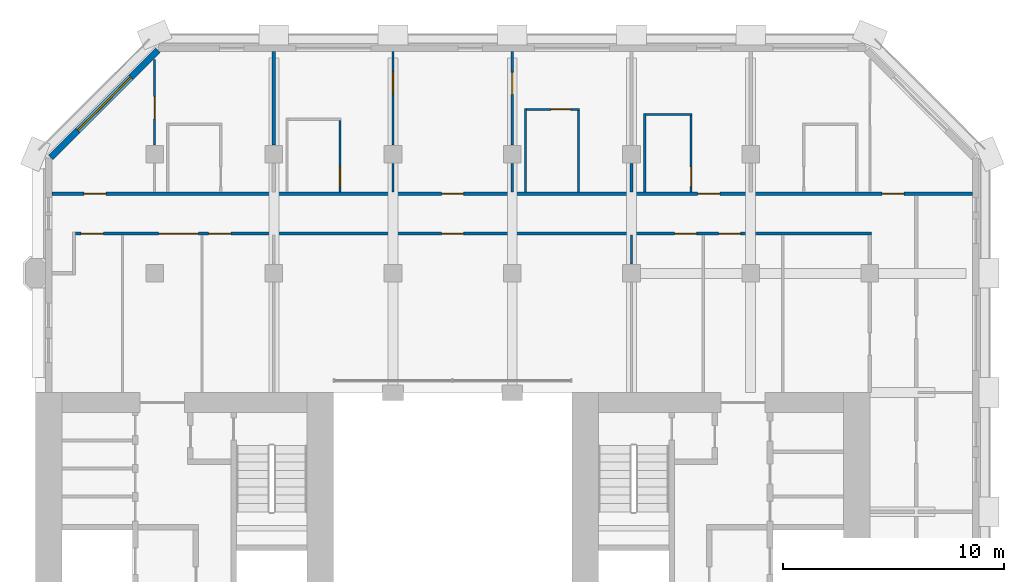
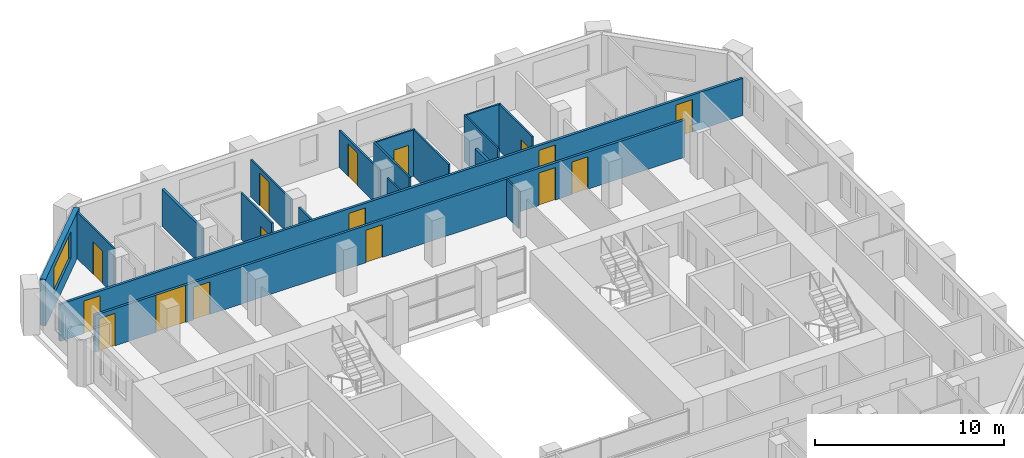
# One storey, part 8 of 12: 18 walls, 16 doors, 1 window, 17 openings.
"""IFC4 building model written with IfcOpenShell, lengths in metres."""

from ifc_helpers import new_model, si_unit, direction, frame, frame_2d, origin, place, context, subcontext, project, spatial, rectangle, extrude, material, layer, layer_set, type_object, element, fill, save


model = new_model("IFC4")

# Units and contexts
model_context = context("Model", 3, precision=1e-05, world=origin(), true_north=direction((0.0, 1.0)))
body_context = subcontext(model_context, "Body", "Model", "MODEL_VIEW")
ifc_project = project(units=[si_unit("LENGTHUNIT", "METRE"), si_unit("AREAUNIT", "SQUARE_METRE"), si_unit("VOLUMEUNIT", "CUBIC_METRE"), si_unit("PLANEANGLEUNIT", "RADIAN"), si_unit("MASSUNIT", "GRAM", prefix="KILO")], contexts=[model_context])

# Site, building, storey
site_placement = place(None, origin())
site = spatial("IfcSite", under=ifc_project, at=site_placement, CompositionType="ELEMENT")
building_placement = place(site_placement, origin())
building = spatial("IfcBuilding", under=site, at=building_placement, Name="Tabaq Tower and Sports Hall", CompositionType="ELEMENT")
storey_placement = place(building_placement, frame((0.0, 0.0, 193.89990234375)))
storey = spatial("IfcBuildingStorey", under=building, at=storey_placement, Name="L47", CompositionType="ELEMENT", Elevation=193.89990234375)

# Wall, opening, door
ifc_material_1 = material(Name="Gypsum board on steel studs", Category="steel")
ifc_layer_1 = layer(ifc_material_1, 0.10009765625)
ifc_layer_set_1 = layer_set([ifc_layer_1], Name="Partition 100 Gypsum board")
wall_type_1 = type_object("IfcWallType", Name="Partition 100 Gypsum board", PredefinedType="PARTITIONING", material=ifc_layer_set_1)
wall_1_placement = place(storey_placement, frame((10.800048828125, 47.48779296875, 0.0), z_axis=(0.0, 0.0, 1.0), x_axis=(0.0, -1.0, 0.0)))
wall_1 = element("IfcWall", 1, at=wall_1_placement, inside=storey, type_object=wall_type_1, Name="Partition wall L47", PredefinedType="PARTITIONING", context=body_context, shape_type="SweptSolid", body=[
    extrude(rectangle(XDim=3.86767578125, YDim=0.10009765625, at=frame_2d((1.933837890625, 0.0))), origin(), (0.0, 0.0, 1.0), 3.0),
])
opening_1_placement = place(wall_1_placement, frame((1.68798828125, 0.0, 0.0)))
opening_1 = element("IfcOpeningElement", 2, at=opening_1_placement, cuts=wall_1, Name="Opening L47-025", PredefinedType="OPENING", context=body_context, shape_type="SweptSolid", body=[
    extrude(rectangle(XDim=1.0, YDim=2.10009765625, at=frame_2d((0.5, 1.050048828125))), frame((0.0, 0.050048828125, 0.0), z_axis=(0.0, -1.0, 0.0), x_axis=(1.0, 0.0, 0.0)), (0.0, 0.0, 1.0), 0.10009765625),
])
ifc_material_2 = material(Name="Timber leaf in steel frame", Category="steel")
door_type_1 = type_object("IfcDoorType", Name="Internal door 1000 right hand", OperationType="SINGLE_SWING_RIGHT", PredefinedType="DOOR", material=ifc_material_2)
door_1_placement = place(opening_1_placement, origin())
door_1 = element("IfcDoor", 3, at=door_1_placement, inside=storey, type_object=door_type_1, Name="Internal door L47-025", OperationType="SINGLE_SWING_RIGHT", OverallHeight=2.10009765625, OverallWidth=1.0, PredefinedType="DOOR", context=body_context, shape_type="SweptSolid", body=[
    extrude(rectangle(XDim=1.0, YDim=2.10009765625, at=frame_2d((0.5, 1.050048828125))), frame((0.0, 0.02490234375, 0.0), z_axis=(0.0, -1.0, 0.0), x_axis=(1.0, 0.0, 0.0)), (0.0, 0.0, 1.0), 0.050048828125),
])
fill(opening_1, door_1)

wall_2_placement = place(storey_placement, frame((19.199951171875, 44.72509765625, 0.0), z_axis=(0.0, 0.0, 1.0), x_axis=(0.0, -1.0, 0.0)))
wall_2 = element("IfcWall", 4, at=wall_2_placement, inside=storey, type_object=wall_type_1, Name="Partition wall L47", PredefinedType="PARTITIONING", context=body_context, shape_type="SweptSolid", body=[
    extrude(rectangle(XDim=3.25, YDim=0.10009765625, at=frame_2d((1.625, 0.0))), origin(), (0.0, 0.0, 1.0), 3.0),
])
opening_2_placement = place(wall_2_placement, frame((2.10009765625, 0.0, 0.0)))
opening_2 = element("IfcOpeningElement", 5, at=opening_2_placement, cuts=wall_2, Name="Opening L47-003", PredefinedType="OPENING", context=body_context, shape_type="SweptSolid", body=[
    extrude(rectangle(XDim=0.89990234375, YDim=2.10009765625, at=frame_2d((0.449951171875, 1.050048828125))), frame((0.0, 0.050048828125, 0.0), z_axis=(0.0, -1.0, 0.0), x_axis=(1.0, 0.0, 0.0)), (0.0, 0.0, 1.0), 0.10009765625),
])
ifc_material_3 = material(Name="Timber leaf in steel frame", Category="steel")
door_type_2 = type_object("IfcDoorType", Name="Internal door 900 right hand", OperationType="SINGLE_SWING_RIGHT", PredefinedType="DOOR", material=ifc_material_3)
door_2_placement = place(opening_2_placement, origin())
door_2 = element("IfcDoor", 6, at=door_2_placement, inside=storey, type_object=door_type_2, Name="Internal door L47-003", OperationType="SINGLE_SWING_RIGHT", OverallHeight=2.10009765625, OverallWidth=0.89990234375, PredefinedType="DOOR", context=body_context, shape_type="SweptSolid", body=[
    extrude(rectangle(XDim=0.89990234375, YDim=2.10009765625, at=frame_2d((0.449951171875, 1.050048828125))), frame((0.0, 0.02490234375, 0.0), z_axis=(0.0, -1.0, 0.0), x_axis=(1.0, 0.0, 0.0)), (0.0, 0.0, 1.0), 0.050048828125),
])
fill(opening_2, door_2)

# Wall
wall_3_placement = place(storey_placement, frame((21.60009765625, 41.47509765625, 0.0), z_axis=(0.0, 0.0, 1.0), x_axis=(0.0, 1.0, 0.0)))
element("IfcWall", 7, at=wall_3_placement, inside=storey, type_object=wall_type_1, Name="Partition wall L47", PredefinedType="PARTITIONING", context=body_context, shape_type="SweptSolid", body=[
    extrude(rectangle(XDim=1.304931640625, YDim=0.10009765625, at=frame_2d((0.65234375, 0.0))), origin(), (0.0, 0.0, 1.0), 2.400146484375),
])

# Wall, opening, door
wall_4_placement = place(storey_placement, frame((21.60009765625, 43.6201171875, 0.0), z_axis=(0.0, 0.0, 1.0), x_axis=(0.0, 1.0, 0.0)))
wall_4 = element("IfcWall", 8, at=wall_4_placement, inside=storey, type_object=wall_type_1, Name="Partition wall L47", PredefinedType="PARTITIONING", context=body_context, shape_type="SweptSolid", body=[
    extrude(rectangle(XDim=4.22900390625, YDim=0.10009765625, at=frame_2d((2.114501953125, 0.0))), origin(), (0.0, 0.0, 1.0), 2.400146484375),
])
opening_3_placement = place(wall_4_placement, frame((2.280029296875, 0.0, 0.0)))
opening_3 = element("IfcOpeningElement", 9, at=opening_3_placement, cuts=wall_4, Name="Opening L47-027", PredefinedType="OPENING", context=body_context, shape_type="SweptSolid", body=[
    extrude(rectangle(XDim=1.0, YDim=2.10009765625, at=frame_2d((0.5, 1.050048828125))), frame((0.0, 0.050048828125, 0.0), z_axis=(0.0, -1.0, 0.0), x_axis=(1.0, 0.0, 0.0)), (0.0, 0.0, 1.0), 0.10009765625),
])
door_3_placement = place(opening_3_placement, origin())
door_3 = element("IfcDoor", 10, at=door_3_placement, inside=storey, type_object=door_type_1, Name="Internal door L47-027", OperationType="SINGLE_SWING_RIGHT", OverallHeight=2.10009765625, OverallWidth=1.0, PredefinedType="DOOR", context=body_context, shape_type="SweptSolid", body=[
    extrude(rectangle(XDim=1.0, YDim=2.10009765625, at=frame_2d((0.5, 1.050048828125))), frame((0.0, 0.02490234375, 0.0), z_axis=(0.0, -1.0, 0.0), x_axis=(1.0, 0.0, 0.0)), (0.0, 0.0, 1.0), 0.050048828125),
])
fill(opening_3, door_3)

wall_5_placement = place(storey_placement, frame((27.0, 47.84912109375, 0.0), z_axis=(0.0, 0.0, 1.0), x_axis=(0.0, -1.0, 0.0)))
wall_5 = element("IfcWall", 11, at=wall_5_placement, inside=storey, type_object=wall_type_1, Name="Partition wall L47", PredefinedType="PARTITIONING", context=body_context, shape_type="SweptSolid", body=[
    extrude(rectangle(XDim=4.22900390625, YDim=0.10009765625, at=frame_2d((2.114501953125, 0.0))), origin(), (0.0, 0.0, 1.0), 2.400146484375),
])
opening_4_placement = place(wall_5_placement, frame((0.948974609375, 0.0, 0.0)))
opening_4 = element("IfcOpeningElement", 12, at=opening_4_placement, cuts=wall_5, Name="Opening L47-028", PredefinedType="OPENING", context=body_context, shape_type="SweptSolid", body=[
    extrude(rectangle(XDim=1.0, YDim=2.10009765625, at=frame_2d((0.5, 1.050048828125))), frame((0.0, 0.050048828125, 0.0), z_axis=(0.0, -1.0, 0.0), x_axis=(1.0, 0.0, 0.0)), (0.0, 0.0, 1.0), 0.10009765625),
])
door_4_placement = place(opening_4_placement, origin())
door_4 = element("IfcDoor", 13, at=door_4_placement, inside=storey, type_object=door_type_1, Name="Internal door L47-028", OperationType="SINGLE_SWING_RIGHT", OverallHeight=2.10009765625, OverallWidth=1.0, PredefinedType="DOOR", context=body_context, shape_type="SweptSolid", body=[
    extrude(rectangle(XDim=1.0, YDim=2.10009765625, at=frame_2d((0.5, 1.050048828125))), frame((0.0, 0.02490234375, 0.0), z_axis=(0.0, -1.0, 0.0), x_axis=(1.0, 0.0, 0.0)), (0.0, 0.0, 1.0), 0.050048828125),
])
fill(opening_4, door_4)

# Walls
wall_6_placement = place(storey_placement, frame((27.0, 42.780029296875, 0.0), z_axis=(0.0, 0.0, 1.0), x_axis=(0.0, -1.0, 0.0)))
element("IfcWall", 14, at=wall_6_placement, inside=storey, type_object=wall_type_1, Name="Partition wall L47", PredefinedType="PARTITIONING", context=body_context, shape_type="SweptSolid", body=[
    extrude(rectangle(XDim=1.304931640625, YDim=0.10009765625, at=frame_2d((0.65234375, 0.0))), origin(), (0.0, 0.0, 1.0), 2.400146484375),
])
wall_7_placement = place(storey_placement, frame((27.60009765625, 41.47509765625, 0.0), z_axis=(0.0, 0.0, 1.0), x_axis=(0.0, 1.0, 0.0)))
element("IfcWall", 15, at=wall_7_placement, inside=storey, type_object=wall_type_1, Name="Partition wall L47", PredefinedType="PARTITIONING", context=body_context, shape_type="SweptSolid", body=[
    extrude(rectangle(XDim=3.7998046875, YDim=0.10009765625, at=frame_2d((1.89990234375, 0.0))), origin(), (0.0, 0.0, 1.0), 3.0),
])

# Wall, opening, door
wall_8_placement = place(storey_placement, frame((27.64990234375, 45.22509765625, 0.0), z_axis=(0.0, 0.0, 1.0), x_axis=(1.0, 0.0, 0.0)))
wall_8 = element("IfcWall", 16, at=wall_8_placement, inside=storey, type_object=wall_type_1, Name="Partition wall L47", PredefinedType="PARTITIONING", context=body_context, shape_type="SweptSolid", body=[
    extrude(rectangle(XDim=2.400146484375, YDim=0.10009765625, at=frame_2d((1.2001953125, 0.0))), origin(), (0.0, 0.0, 1.0), 3.0),
])
opening_5_placement = place(wall_8_placement, frame((1.10009765625, 0.0, 0.0)))
opening_5 = element("IfcOpeningElement", 17, at=opening_5_placement, cuts=wall_8, Name="Opening L47-004", PredefinedType="OPENING", context=body_context, shape_type="SweptSolid", body=[
    extrude(rectangle(XDim=0.89990234375, YDim=2.10009765625, at=frame_2d((0.449951171875, 1.050048828125))), frame((0.0, 0.050048828125, 0.0), z_axis=(0.0, -1.0, 0.0), x_axis=(1.0, 0.0, 0.0)), (0.0, 0.0, 1.0), 0.10009765625),
])
ifc_material_4 = material(Name="Timber leaf in steel frame", Category="steel")
door_type_3 = type_object("IfcDoorType", Name="Internal door 900 left hand", OperationType="SINGLE_SWING_LEFT", PredefinedType="DOOR", material=ifc_material_4)
door_5_placement = place(opening_5_placement, origin())
door_5 = element("IfcDoor", 18, at=door_5_placement, inside=storey, type_object=door_type_3, Name="Internal door L47-004", OperationType="SINGLE_SWING_LEFT", OverallHeight=2.10009765625, OverallWidth=0.89990234375, PredefinedType="DOOR", context=body_context, shape_type="SweptSolid", body=[
    extrude(rectangle(XDim=0.89990234375, YDim=2.10009765625, at=frame_2d((0.449951171875, 1.050048828125))), frame((0.0, 0.02490234375, 0.0), z_axis=(0.0, -1.0, 0.0), x_axis=(1.0, 0.0, 0.0)), (0.0, 0.0, 1.0), 0.050048828125),
])
fill(opening_5, door_5)

# Walls
wall_9_placement = place(storey_placement, frame((30.0, 45.175048828125, 0.0), z_axis=(0.0, 0.0, 1.0), x_axis=(0.0, -1.0, 0.0)))
element("IfcWall", 19, at=wall_9_placement, inside=storey, type_object=wall_type_1, Name="Partition wall L47", PredefinedType="PARTITIONING", context=body_context, shape_type="SweptSolid", body=[
    extrude(rectangle(XDim=3.699951171875, YDim=0.10009765625, at=frame_2d((1.85009765625, 0.0))), origin(), (0.0, 0.0, 1.0), 3.0),
])
wall_10_placement = place(storey_placement, frame((33.0, 41.47509765625, 0.0), z_axis=(0.0, 0.0, 1.0), x_axis=(0.0, 1.0, 0.0)))
element("IfcWall", 20, at=wall_10_placement, inside=storey, type_object=wall_type_1, Name="Partition wall L47", PredefinedType="PARTITIONING", context=body_context, shape_type="SweptSolid", body=[
    extrude(rectangle(XDim=3.574951171875, YDim=0.10009765625, at=frame_2d((1.78759765625, 0.0))), origin(), (0.0, 0.0, 1.0), 3.0),
])
wall_11_placement = place(storey_placement, frame((33.050048828125, 45.0, 0.0), z_axis=(0.0, 0.0, 1.0), x_axis=(1.0, 0.0, 0.0)))
element("IfcWall", 21, at=wall_11_placement, inside=storey, type_object=wall_type_1, Name="Partition wall L47", PredefinedType="PARTITIONING", context=body_context, shape_type="SweptSolid", body=[
    extrude(rectangle(XDim=2.099853515625, YDim=0.10009765625, at=frame_2d((1.0498046875, 0.0))), origin(), (0.0, 0.0, 1.0), 3.0),
])

# Wall, opening, door
wall_12_placement = place(storey_placement, frame((35.10009765625, 44.949951171875, 0.0), z_axis=(0.0, 0.0, 1.0), x_axis=(0.0, -1.0, 0.0)))
wall_12 = element("IfcWall", 22, at=wall_12_placement, inside=storey, type_object=wall_type_1, Name="Partition wall L47", PredefinedType="PARTITIONING", context=body_context, shape_type="SweptSolid", body=[
    extrude(rectangle(XDim=3.474853515625, YDim=0.10009765625, at=frame_2d((1.7373046875, 0.0))), origin(), (0.0, 0.0, 1.0), 3.0),
])
opening_6_placement = place(wall_12_placement, frame((2.324951171875, 0.0, 0.0)))
opening_6 = element("IfcOpeningElement", 23, at=opening_6_placement, cuts=wall_12, Name="Opening L47-005", PredefinedType="OPENING", context=body_context, shape_type="SweptSolid", body=[
    extrude(rectangle(XDim=0.89990234375, YDim=2.10009765625, at=frame_2d((0.449951171875, 1.050048828125))), frame((0.0, 0.050048828125, 0.0), z_axis=(0.0, -1.0, 0.0), x_axis=(1.0, 0.0, 0.0)), (0.0, 0.0, 1.0), 0.10009765625),
])
door_6_placement = place(opening_6_placement, origin())
door_6 = element("IfcDoor", 24, at=door_6_placement, inside=storey, type_object=door_type_3, Name="Internal door L47-005", OperationType="SINGLE_SWING_LEFT", OverallHeight=2.10009765625, OverallWidth=0.89990234375, PredefinedType="DOOR", context=body_context, shape_type="SweptSolid", body=[
    extrude(rectangle(XDim=0.89990234375, YDim=2.10009765625, at=frame_2d((0.449951171875, 1.050048828125))), frame((0.0, 0.02490234375, 0.0), z_axis=(0.0, -1.0, 0.0), x_axis=(1.0, 0.0, 0.0)), (0.0, 0.0, 1.0), 0.050048828125),
])
fill(opening_6, door_6)

# Walls
wall_13_placement = place(storey_placement, frame((32.39990234375, 38.219970703125, 0.0), z_axis=(0.0, 0.0, 1.0), x_axis=(0.0, 1.0, 0.0)))
element("IfcWall", 25, at=wall_13_placement, inside=storey, type_object=wall_type_1, Name="Partition wall L47", PredefinedType="PARTITIONING", context=body_context, shape_type="SweptSolid", body=[
    extrude(rectangle(XDim=1.304931640625, YDim=0.10009765625, at=frame_2d((0.65234375, 0.0))), origin(), (0.0, 0.0, 1.0), 2.400146484375),
])
ifc_material_5 = material(Name="Blockwork", Category="masonry")
ifc_layer_2 = layer(ifc_material_5, 0.14990234375)
ifc_layer_set_2 = layer_set([ifc_layer_2], Name="Separating wall 150 Blockwork")
wall_type_2 = type_object("IfcWallType", Name="Separating wall 150 Blockwork", PredefinedType="PARTITIONING", material=ifc_layer_set_2)
wall_14_placement = place(storey_placement, frame((16.199951171875, 43.6201171875, 0.0), z_axis=(0.0, 0.0, 1.0), x_axis=(0.0, 1.0, 0.0)))
element("IfcWall", 26, at=wall_14_placement, inside=storey, type_object=wall_type_2, Name="Separating wall L47", PredefinedType="PARTITIONING", context=body_context, shape_type="SweptSolid", body=[
    extrude(rectangle(XDim=4.22900390625, YDim=0.14990234375, at=frame_2d((2.114501953125, 0.0))), origin(), (0.0, 0.0, 1.0), 2.400146484375),
])
wall_15_placement = place(storey_placement, frame((32.39990234375, 41.47509765625, 0.0), z_axis=(0.0, 0.0, 1.0), x_axis=(0.0, 1.0, 0.0)))
element("IfcWall", 27, at=wall_15_placement, inside=storey, type_object=wall_type_2, Name="Separating wall L47", PredefinedType="PARTITIONING", context=body_context, shape_type="SweptSolid", body=[
    extrude(rectangle(XDim=1.304931640625, YDim=0.14990234375, at=frame_2d((0.65234375, 0.0))), origin(), (0.0, 0.0, 1.0), 2.400146484375),
])

# Wall, openings, doors
wall_16_placement = place(storey_placement, frame((47.84912109375, 41.39990234375, 0.0), z_axis=(0.0, 0.0, 1.0), x_axis=(-1.0, 0.0, 0.0)))
wall_16 = element("IfcWall", 28, at=wall_16_placement, inside=storey, type_object=wall_type_2, Name="Separating wall L47", PredefinedType="PARTITIONING", context=body_context, shape_type="SweptSolid", body=[
    extrude(rectangle(XDim=41.6982421875, YDim=0.14990234375, at=frame_2d((20.84912109375, 0.0))), origin(), (0.0, 0.0, 1.0), 2.400146484375),
])
opening_7_placement = place(wall_16_placement, frame((39.2490234375, 0.0, 0.0)))
opening_7 = element("IfcOpeningElement", 29, at=opening_7_placement, cuts=wall_16, Name="Opening L47-026", PredefinedType="OPENING", context=body_context, shape_type="SweptSolid", body=[
    extrude(rectangle(XDim=1.0, YDim=2.10009765625, at=frame_2d((0.5, 1.050048828125))), frame((0.0, 0.074951171875, 0.0), z_axis=(0.0, -1.0, 0.0), x_axis=(1.0, 0.0, 0.0)), (0.0, 0.0, 1.0), 0.14990234375),
])
opening_8_placement = place(wall_16_placement, frame((11.448974609375, 0.0, 0.0)))
opening_8 = element("IfcOpeningElement", 30, at=opening_8_placement, cuts=wall_16, Name="Opening L47-029", PredefinedType="OPENING", context=body_context, shape_type="SweptSolid", body=[
    extrude(rectangle(XDim=1.0, YDim=2.10009765625, at=frame_2d((0.5, 1.050048828125))), frame((0.0, 0.074951171875, 0.0), z_axis=(0.0, -1.0, 0.0), x_axis=(1.0, 0.0, 0.0)), (0.0, 0.0, 1.0), 0.14990234375),
])
opening_9_placement = place(wall_16_placement, frame((3.09912109375, 0.0, 0.0)))
opening_9 = element("IfcOpeningElement", 31, at=opening_9_placement, cuts=wall_16, Name="Opening L47-031", PredefinedType="OPENING", context=body_context, shape_type="SweptSolid", body=[
    extrude(rectangle(XDim=1.0, YDim=2.10009765625, at=frame_2d((0.5, 1.050048828125))), frame((0.0, 0.074951171875, 0.0), z_axis=(0.0, -1.0, 0.0), x_axis=(1.0, 0.0, 0.0)), (0.0, 0.0, 1.0), 0.14990234375),
])
opening_10_placement = place(wall_16_placement, frame((23.049072265625, 0.0, 0.0)))
opening_10 = element("IfcOpeningElement", 32, at=opening_10_placement, cuts=wall_16, Name="Opening L47-042", PredefinedType="OPENING", context=body_context, shape_type="SweptSolid", body=[
    extrude(rectangle(XDim=1.0, YDim=2.10009765625, at=frame_2d((0.5, 1.050048828125))), frame((0.0, 0.074951171875, 0.0), z_axis=(0.0, -1.0, 0.0), x_axis=(1.0, 0.0, 0.0)), (0.0, 0.0, 1.0), 0.14990234375),
])
ifc_material_6 = material(Name="Steel fire door", Category="steel")
door_type_4 = type_object("IfcDoorType", Name="Entrance door 1000 left hand", OperationType="SINGLE_SWING_LEFT", PredefinedType="DOOR", material=ifc_material_6)
door_7_placement = place(opening_7_placement, origin())
door_7 = element("IfcDoor", 33, at=door_7_placement, inside=storey, type_object=door_type_4, Name="Entrance door L47-026", OperationType="SINGLE_SWING_LEFT", OverallHeight=2.10009765625, OverallWidth=1.0, PredefinedType="DOOR", context=body_context, shape_type="SweptSolid", body=[
    extrude(rectangle(XDim=1.0, YDim=2.10009765625, at=frame_2d((0.5, 1.050048828125))), frame((0.0, 0.02490234375, 0.0), z_axis=(0.0, -1.0, 0.0), x_axis=(1.0, 0.0, 0.0)), (0.0, 0.0, 1.0), 0.050048828125),
])
fill(opening_7, door_7)
door_8_placement = place(opening_8_placement, origin())
door_8 = element("IfcDoor", 34, at=door_8_placement, inside=storey, type_object=door_type_4, Name="Entrance door L47-029", OperationType="SINGLE_SWING_LEFT", OverallHeight=2.10009765625, OverallWidth=1.0, PredefinedType="DOOR", context=body_context, shape_type="SweptSolid", body=[
    extrude(rectangle(XDim=1.0, YDim=2.10009765625, at=frame_2d((0.5, 1.050048828125))), frame((0.0, 0.02490234375, 0.0), z_axis=(0.0, -1.0, 0.0), x_axis=(1.0, 0.0, 0.0)), (0.0, 0.0, 1.0), 0.050048828125),
])
fill(opening_8, door_8)
door_9_placement = place(opening_9_placement, origin())
door_9 = element("IfcDoor", 35, at=door_9_placement, inside=storey, type_object=door_type_4, Name="Entrance door L47-031", OperationType="SINGLE_SWING_LEFT", OverallHeight=2.10009765625, OverallWidth=1.0, PredefinedType="DOOR", context=body_context, shape_type="SweptSolid", body=[
    extrude(rectangle(XDim=1.0, YDim=2.10009765625, at=frame_2d((0.5, 1.050048828125))), frame((0.0, 0.02490234375, 0.0), z_axis=(0.0, -1.0, 0.0), x_axis=(1.0, 0.0, 0.0)), (0.0, 0.0, 1.0), 0.050048828125),
])
fill(opening_9, door_9)
ifc_material_7 = material(Name="Steel fire door", Category="steel")
door_type_5 = type_object("IfcDoorType", Name="Entrance door 1000 right hand", OperationType="SINGLE_SWING_RIGHT", PredefinedType="DOOR", material=ifc_material_7)
door_10_placement = place(opening_10_placement, origin())
door_10 = element("IfcDoor", 36, at=door_10_placement, inside=storey, type_object=door_type_5, Name="Entrance door L47-042", OperationType="SINGLE_SWING_RIGHT", OverallHeight=2.10009765625, OverallWidth=1.0, PredefinedType="DOOR", context=body_context, shape_type="SweptSolid", body=[
    extrude(rectangle(XDim=1.0, YDim=2.10009765625, at=frame_2d((0.5, 1.050048828125))), frame((0.0, 0.02490234375, 0.0), z_axis=(0.0, -1.0, 0.0), x_axis=(1.0, 0.0, 0.0)), (0.0, 0.0, 1.0), 0.050048828125),
])
fill(opening_10, door_10)

wall_17_placement = place(storey_placement, frame((43.27490234375, 39.60009765625, 0.0), z_axis=(0.0, 0.0, 1.0), x_axis=(-1.0, 0.0, 0.0)))
wall_17 = element("IfcWall", 37, at=wall_17_placement, inside=storey, type_object=wall_type_2, Name="Separating wall L47", PredefinedType="PARTITIONING", context=body_context, shape_type="SweptSolid", body=[
    extrude(rectangle(XDim=36.048828125, YDim=0.14990234375, at=frame_2d((18.0244140625, 0.0))), origin(), (0.0, 0.0, 1.0), 2.400146484375),
])
opening_11_placement = place(wall_17_placement, frame((18.47509765625, 0.0, 0.0)))
opening_11 = element("IfcOpeningElement", 38, at=opening_11_placement, cuts=wall_17, Name="Opening L47-007", PredefinedType="OPENING", context=body_context, shape_type="SweptSolid", body=[
    extrude(rectangle(XDim=1.0, YDim=2.10009765625, at=frame_2d((0.5, 1.050048828125))), frame((0.0, 0.074951171875, 0.0), z_axis=(0.0, -1.0, 0.0), x_axis=(1.0, 0.0, 0.0)), (0.0, 0.0, 1.0), 0.14990234375),
])
opening_12_placement = place(wall_17_placement, frame((34.799072265625, 0.0, 0.0)))
opening_12 = element("IfcOpeningElement", 39, at=opening_12_placement, cuts=wall_17, Name="Opening L47-009", PredefinedType="OPENING", context=body_context, shape_type="SweptSolid", body=[
    extrude(rectangle(XDim=1.0, YDim=2.10009765625, at=frame_2d((0.5, 1.050048828125))), frame((0.0, 0.074951171875, 0.0), z_axis=(0.0, -1.0, 0.0), x_axis=(1.0, 0.0, 0.0)), (0.0, 0.0, 1.0), 0.14990234375),
])
opening_13_placement = place(wall_17_placement, frame((7.925048828125, 0.0, 0.0)))
opening_13 = element("IfcOpeningElement", 40, at=opening_13_placement, cuts=wall_17, Name="Opening L47-010", PredefinedType="OPENING", context=body_context, shape_type="SweptSolid", body=[
    extrude(rectangle(XDim=1.0, YDim=2.10009765625, at=frame_2d((0.5, 1.050048828125))), frame((0.0, 0.074951171875, 0.0), z_axis=(0.0, -1.0, 0.0), x_axis=(1.0, 0.0, 0.0)), (0.0, 0.0, 1.0), 0.14990234375),
])
opening_14_placement = place(wall_17_placement, frame((29.02490234375, 0.0, 0.0)))
opening_14 = element("IfcOpeningElement", 41, at=opening_14_placement, cuts=wall_17, Name="Opening L47-012", PredefinedType="OPENING", context=body_context, shape_type="SweptSolid", body=[
    extrude(rectangle(XDim=1.0, YDim=2.10009765625, at=frame_2d((0.5, 1.050048828125))), frame((0.0, 0.074951171875, 0.0), z_axis=(0.0, -1.0, 0.0), x_axis=(1.0, 0.0, 0.0)), (0.0, 0.0, 1.0), 0.14990234375),
])
opening_15_placement = place(wall_17_placement, frame((30.4951171875, 0.0, 0.0)))
opening_15 = element("IfcOpeningElement", 42, at=opening_15_placement, cuts=wall_17, Name="Opening L47-032", PredefinedType="OPENING", context=body_context, shape_type="SweptSolid", body=[
    extrude(rectangle(XDim=1.800048828125, YDim=2.39990234375, at=frame_2d((0.89990234375, 1.199951171875))), frame((0.0, 0.074951171875, 0.0), z_axis=(0.0, -1.0, 0.0), x_axis=(1.0, 0.0, 0.0)), (0.0, 0.0, 1.0), 0.14990234375),
])
opening_16_placement = place(wall_17_placement, frame((5.925048828125, 0.0, 0.0)))
opening_16 = element("IfcOpeningElement", 43, at=opening_16_placement, cuts=wall_17, Name="Opening L47-033", PredefinedType="OPENING", context=body_context, shape_type="SweptSolid", body=[
    extrude(rectangle(XDim=1.0, YDim=2.10009765625, at=frame_2d((0.5, 1.050048828125))), frame((0.0, 0.074951171875, 0.0), z_axis=(0.0, -1.0, 0.0), x_axis=(1.0, 0.0, 0.0)), (0.0, 0.0, 1.0), 0.14990234375),
])
ifc_material_8 = material(Name="Timber leaf in steel frame", Category="steel")
door_type_6 = type_object("IfcDoorType", Name="Internal door 1000 left hand", OperationType="SINGLE_SWING_LEFT", PredefinedType="DOOR", material=ifc_material_8)
door_11_placement = place(opening_11_placement, origin())
door_11 = element("IfcDoor", 44, at=door_11_placement, inside=storey, type_object=door_type_6, Name="Internal door L47-007", OperationType="SINGLE_SWING_LEFT", OverallHeight=2.10009765625, OverallWidth=1.0, PredefinedType="DOOR", context=body_context, shape_type="SweptSolid", body=[
    extrude(rectangle(XDim=1.0, YDim=2.10009765625, at=frame_2d((0.5, 1.050048828125))), frame((0.0, 0.02490234375, 0.0), z_axis=(0.0, -1.0, 0.0), x_axis=(1.0, 0.0, 0.0)), (0.0, 0.0, 1.0), 0.050048828125),
])
fill(opening_11, door_11)
door_12_placement = place(opening_13_placement, origin())
door_12 = element("IfcDoor", 45, at=door_12_placement, inside=storey, type_object=door_type_6, Name="Internal door L47-010", OperationType="SINGLE_SWING_LEFT", OverallHeight=2.10009765625, OverallWidth=1.0, PredefinedType="DOOR", context=body_context, shape_type="SweptSolid", body=[
    extrude(rectangle(XDim=1.0, YDim=2.10009765625, at=frame_2d((0.5, 1.050048828125))), frame((0.0, 0.02490234375, 0.0), z_axis=(0.0, -1.0, 0.0), x_axis=(1.0, 0.0, 0.0)), (0.0, 0.0, 1.0), 0.050048828125),
])
fill(opening_13, door_12)
door_13_placement = place(opening_14_placement, origin())
door_13 = element("IfcDoor", 46, at=door_13_placement, inside=storey, type_object=door_type_6, Name="Internal door L47-012", OperationType="SINGLE_SWING_LEFT", OverallHeight=2.10009765625, OverallWidth=1.0, PredefinedType="DOOR", context=body_context, shape_type="SweptSolid", body=[
    extrude(rectangle(XDim=1.0, YDim=2.10009765625, at=frame_2d((0.5, 1.050048828125))), frame((0.0, 0.02490234375, 0.0), z_axis=(0.0, -1.0, 0.0), x_axis=(1.0, 0.0, 0.0)), (0.0, 0.0, 1.0), 0.050048828125),
])
fill(opening_14, door_13)
door_14_placement = place(opening_12_placement, origin())
door_14 = element("IfcDoor", 47, at=door_14_placement, inside=storey, type_object=door_type_1, Name="Internal door L47-009", OperationType="SINGLE_SWING_RIGHT", OverallHeight=2.10009765625, OverallWidth=1.0, PredefinedType="DOOR", context=body_context, shape_type="SweptSolid", body=[
    extrude(rectangle(XDim=1.0, YDim=2.10009765625, at=frame_2d((0.5, 1.050048828125))), frame((0.0, 0.02490234375, 0.0), z_axis=(0.0, -1.0, 0.0), x_axis=(1.0, 0.0, 0.0)), (0.0, 0.0, 1.0), 0.050048828125),
])
fill(opening_12, door_14)
door_15_placement = place(opening_16_placement, origin())
door_15 = element("IfcDoor", 48, at=door_15_placement, inside=storey, type_object=door_type_1, Name="Internal door L47-033", OperationType="SINGLE_SWING_RIGHT", OverallHeight=2.10009765625, OverallWidth=1.0, PredefinedType="DOOR", context=body_context, shape_type="SweptSolid", body=[
    extrude(rectangle(XDim=1.0, YDim=2.10009765625, at=frame_2d((0.5, 1.050048828125))), frame((0.0, 0.02490234375, 0.0), z_axis=(0.0, -1.0, 0.0), x_axis=(1.0, 0.0, 0.0)), (0.0, 0.0, 1.0), 0.050048828125),
])
fill(opening_16, door_15)
ifc_material_9 = material(Name="Timber leaf in steel frame", Category="steel")
door_type_7 = type_object("IfcDoorType", Name="Internal door 1800", OperationType="DOUBLE_DOOR_SINGLE_SWING", PredefinedType="DOOR", material=ifc_material_9)
door_16_placement = place(opening_15_placement, origin())
door_16 = element("IfcDoor", 49, at=door_16_placement, inside=storey, type_object=door_type_7, Name="Internal door L47-032", OperationType="DOUBLE_DOOR_SINGLE_SWING", OverallHeight=2.39990234375, OverallWidth=1.800048828125, PredefinedType="DOOR", context=body_context, shape_type="SweptSolid", body=[
    extrude(rectangle(XDim=1.800048828125, YDim=2.39990234375, at=frame_2d((0.89990234375, 1.199951171875))), frame((0.0, 0.02490234375, 0.0), z_axis=(0.0, -1.0, 0.0), x_axis=(1.0, 0.0, 0.0)), (0.0, 0.0, 1.0), 0.050048828125),
])
fill(opening_15, door_16)

# Wall, opening, window
ifc_material_10 = material(Name="White precast concrete C60/75", Category="concrete")
ifc_layer_3 = layer(ifc_material_10, 0.300048828125)
ifc_layer_set_3 = layer_set([ifc_layer_3], Name="White precast concrete C60/75 external wall 300")
wall_type_3 = type_object("IfcWallType", Name="White precast concrete C60/75 external wall 300", PredefinedType="SOLIDWALL", material=ifc_layer_set_3)
wall_18_placement = place(storey_placement, frame((10.949462890625, 47.901123046875, 0.0), z_axis=(0.0, 0.0, 1.0), x_axis=(-0.707106781187, -0.707106781187, 0.0)))
wall_18 = element("IfcWall", 50, at=wall_18_placement, inside=storey, type_object=wall_type_3, Name="External Wall L47 NW", PredefinedType="SOLIDWALL", context=body_context, shape_type="SweptSolid", body=[
    extrude(rectangle(XDim=6.85986328125, YDim=0.300048828125, at=frame_2d((3.429931640625, 0.0))), origin(), (0.0, 0.0, 1.0), 3.0),
])
opening_17_placement = place(wall_18_placement, frame((1.729736328125, 0.0, 0.89990234375)))
opening_17 = element("IfcOpeningElement", 51, at=opening_17_placement, cuts=wall_18, Name="Opening W1A", PredefinedType="OPENING", context=body_context, shape_type="SweptSolid", body=[
    extrude(rectangle(XDim=3.39990234375, YDim=1.699951171875, at=frame_2d((1.699951171875, 0.85009765625))), frame((0.0, 0.16015625, 0.0), z_axis=(0.0, -1.0, 0.0), x_axis=(1.0, 0.0, 0.0)), (0.0, 0.0, 1.0), 0.320068359375),
])
ifc_material_11 = material(Name="Aluminium framed clear glazing", Category="aluminium")
window_type = type_object("IfcWindowType", Name="Window W1A", PartitioningType="SINGLE_PANEL", PredefinedType="WINDOW", material=ifc_material_11)
window_placement = place(opening_17_placement, origin())
window = element("IfcWindow", 52, at=window_placement, inside=storey, type_object=window_type, Name="Window W1A L47", OverallHeight=1.699951171875, OverallWidth=3.39990234375, PartitioningType="SINGLE_PANEL", PredefinedType="WINDOW", context=body_context, shape_type="SweptSolid", body=[
    extrude(rectangle(XDim=3.39990234375, YDim=1.699951171875, at=frame_2d((1.699951171875, 0.85009765625))), frame((0.0, 0.030029296875, 0.0), z_axis=(0.0, -1.0, 0.0), x_axis=(1.0, 0.0, 0.0)), (0.0, 0.0, 1.0), 0.06005859375),
])
fill(opening_17, window)

save(model, "model.ifc")
